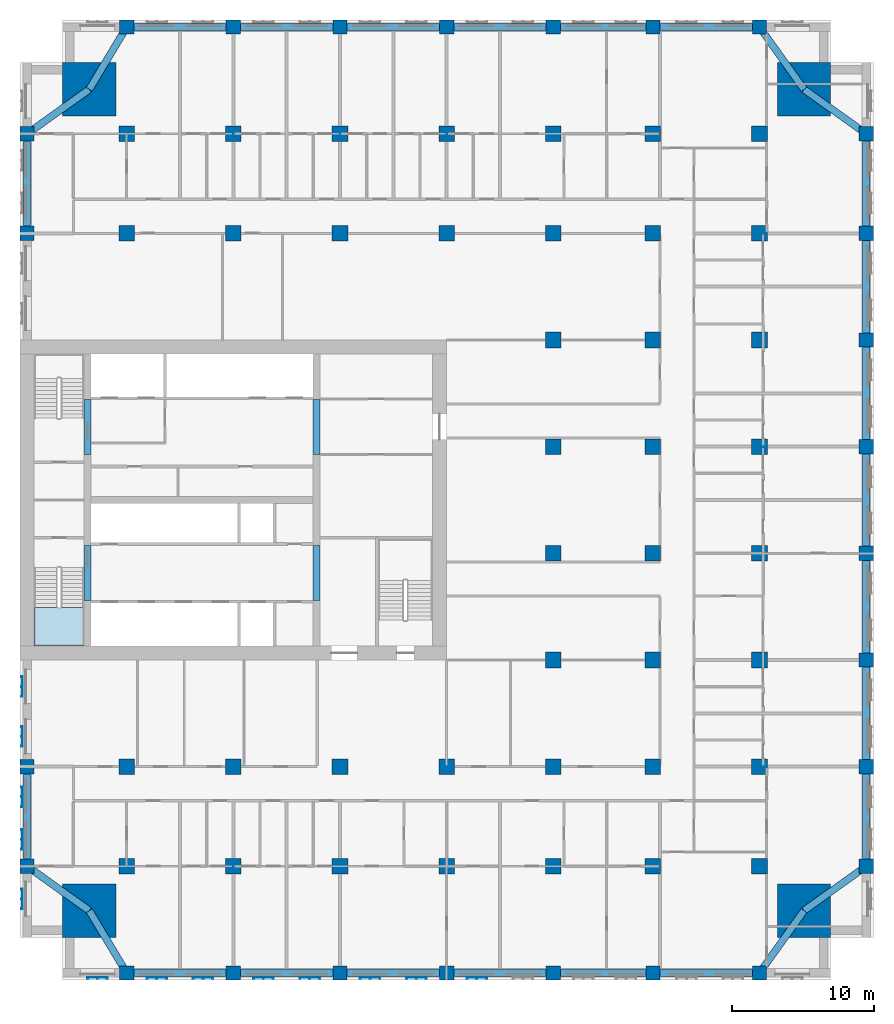
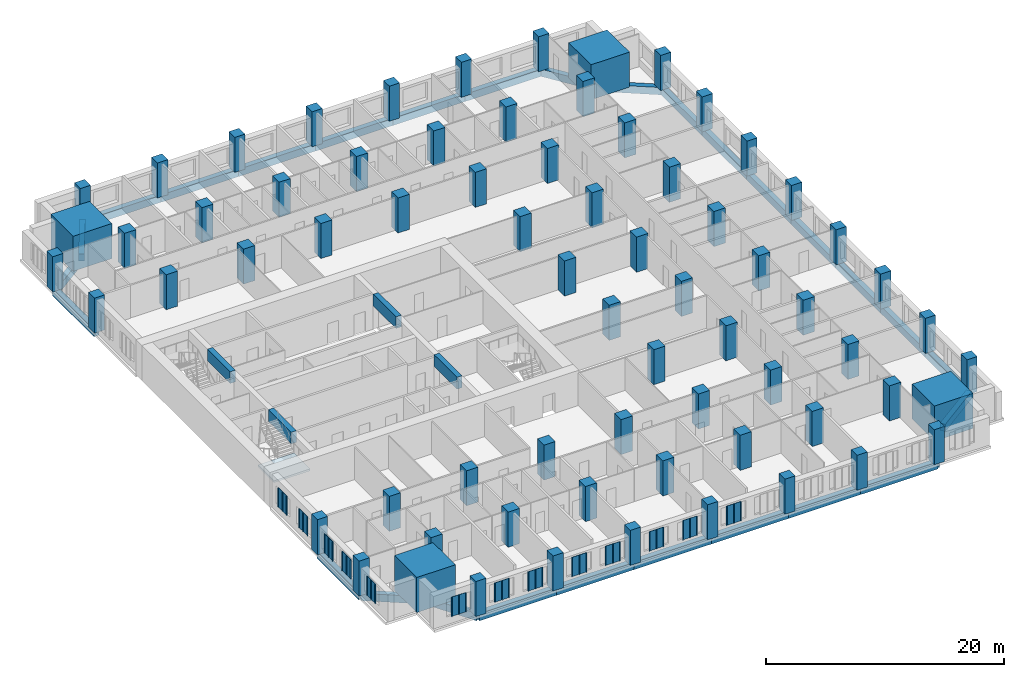
# One storey, part 1 of 15: 70 columns, 33 beams, 13 plates, 1 slab, 1 element without a shape of its own.
"""IFC4 building model written with IfcOpenShell, lengths in metres."""

import ifcopenshell
import ifcopenshell.guid

model = None  # the IFC model being written
_history = None  # IfcOwnerHistory: only IFC2X3 demands one
_inside = {}  # id of a spatial element -> (the spatial element, [elements in it])
_under = {}  # id of a project, library or spatial element -> (it, [spatial elements below it])
_declared = {}  # id of a project -> (the project, [libraries it declares])
_typed = {}  # id of a type object -> (the type object, [elements of that type])
_made_of = {}  # id of a material, layer set ... -> (it, [elements and type objects made of it])


def new_model(schema):
    """Start an empty IFC model of exactly this schema.

    Asked for "IFC4X3", IfcOpenShell would pick the latest addendum, in which some entities
    have other attributes; the version numbers below select the first issue.
    IFC2X3 requires an IfcOwnerHistory on every rooted entity: one is made here for all.
    """
    global model, _history
    if schema == "IFC4X3":
        model = ifcopenshell.file(schema_version=(4, 3, 0, 0))
    else:
        model = ifcopenshell.file(schema=schema)
    _inside.clear()
    _under.clear()
    _declared.clear()
    _typed.clear()
    _made_of.clear()
    _history = None
    if model.schema == "IFC2X3":
        org = make("IfcOrganization", Name="unknown")
        user = make(
            "IfcPersonAndOrganization",
            ThePerson=make("IfcPerson", FamilyName="unknown"),
            TheOrganization=org,
        )
        app = make(
            "IfcApplication",
            ApplicationDeveloper=org,
            Version="unknown",
            ApplicationFullName="unknown",
            ApplicationIdentifier="unknown",
        )
        _history = make(
            "IfcOwnerHistory",
            OwningUser=user,
            OwningApplication=app,
            ChangeAction="ADDED",
            CreationDate=0,
        )
    return model


def make(cls, **values):
    """One entity of the class cls with the attributes given. An attribute that is None is left unset."""
    return model.create_entity(
        cls, **{name: value for name, value in values.items() if value is not None}
    )


def rooted(cls, **values):
    """An entity with a GlobalId (a new one), such as an element, a storey or a relation."""
    return make(cls, GlobalId=ifcopenshell.guid.new(), OwnerHistory=_history, **values)


def si_unit(unit_type, name, prefix=None):
    """IfcSIUnit, for example si_unit("LENGTHUNIT", "METRE", prefix="MILLI")."""
    return make("IfcSIUnit", UnitType=unit_type, Prefix=prefix, Name=name)


def assignment(units):
    """IfcUnitAssignment: the units of a project."""
    return None if units is None else make("IfcUnitAssignment", Units=units)


def point(xyz):
    """IfcCartesianPoint."""
    return None if xyz is None else make("IfcCartesianPoint", Coordinates=xyz)


def direction(xyz):
    """IfcDirection."""
    return None if xyz is None else make("IfcDirection", DirectionRatios=xyz)


def frame(location, z_axis=None, x_axis=None):
    """IfcAxis2Placement3D, a coordinate frame: its origin and axes. An axis left out is left unset."""
    return make(
        "IfcAxis2Placement3D",
        Location=point(location),
        Axis=direction(z_axis),
        RefDirection=direction(x_axis),
    )


def frame_2d(location, x_axis=None):
    """IfcAxis2Placement2D, a coordinate frame in the plane: its origin and x axis."""
    return make(
        "IfcAxis2Placement2D", Location=point(location), RefDirection=direction(x_axis)
    )


def origin():
    """The frame at (0, 0, 0) with its axes left unset."""
    return frame((0.0, 0.0, 0.0))


def origin_2d():
    """The frame at (0, 0) in the plane with its x axis left unset."""
    return frame_2d((0.0, 0.0))


def place(relative_to, where):
    """IfcLocalPlacement: puts the frame where relative to a parent placement (None: the world)."""
    return make(
        "IfcLocalPlacement", PlacementRelTo=relative_to, RelativePlacement=where
    )


def context(
    kind, dimensions, precision=None, world=None, true_north=None, identifier=None
):
    """IfcGeometricRepresentationContext, for example the 3D "Model" context."""
    return make(
        "IfcGeometricRepresentationContext",
        ContextIdentifier=identifier,
        ContextType=kind,
        CoordinateSpaceDimension=dimensions,
        Precision=precision,
        WorldCoordinateSystem=world,
        TrueNorth=true_north,
    )


def subcontext(parent, identifier, kind, view, scale=None):
    """IfcGeometricRepresentationSubContext, for example "Body" below "Model"."""
    return make(
        "IfcGeometricRepresentationSubContext",
        ContextIdentifier=identifier,
        ContextType=kind,
        ParentContext=parent,
        TargetScale=scale,
        TargetView=view,
    )


def project(units=None, contexts=None):
    """IfcProject with its units and contexts."""
    return rooted(
        "IfcProject",
        Name="project",
        RepresentationContexts=contexts,
        UnitsInContext=assignment(units),
    )


def spatial(cls, under=None, at=None, **own):
    """A site, building, storey or space (cls), placed at a placement, below another one or the project."""
    s = rooted(cls, ObjectPlacement=at, **own)
    if under is not None:
        _under.setdefault(under.id(), (under, []))[1].append(s)
    return s


def polyline(points):
    """IfcPolyline through the points."""
    return make("IfcPolyline", Points=[point(p) for p in points])


def profile(cls, at=None, kind="AREA", **sizes):
    """A parametric profile (cls). Its sizes go by their IFC names, for example OverallWidth=200.0."""
    return make(cls, ProfileType=kind, Position=at, **sizes)


def rectangle(**sizes):
    """IfcRectangleProfileDef."""
    return profile("IfcRectangleProfileDef", **sizes)


def outline(outer, holes=None, kind="AREA"):
    """IfcArbitraryClosedProfileDef: a profile drawn as a closed curve; with holes, ...WithVoids."""
    if holes is None:
        return make("IfcArbitraryClosedProfileDef", ProfileType=kind, OuterCurve=outer)
    return make(
        "IfcArbitraryProfileDefWithVoids",
        ProfileType=kind,
        OuterCurve=outer,
        InnerCurves=holes,
    )


def extrude(swept, where, along, depth):
    """IfcExtrudedAreaSolid: the profile swept, set in the frame where, extruded along a direction by depth."""
    return make(
        "IfcExtrudedAreaSolid",
        SweptArea=swept,
        Position=where,
        ExtrudedDirection=direction(along),
        Depth=depth,
    )


def shape(context_of_items, identifier, shape_type, items):
    """IfcShapeRepresentation: the items that make up one representation, for example the "Body"."""
    return make(
        "IfcShapeRepresentation",
        ContextOfItems=context_of_items,
        RepresentationIdentifier=identifier,
        RepresentationType=shape_type,
        Items=items,
    )


def material(Name=None, Category=None):
    """IfcMaterial."""
    return make("IfcMaterial", Name=Name, Category=Category)


def layer(
    of_material, thickness, ventilated=None, Name=None, Category=None, Priority=None
):
    """IfcMaterialLayer: one layer of a wall or slab, of a material (None: an air gap)."""
    return make(
        "IfcMaterialLayer",
        Material=of_material,
        LayerThickness=thickness,
        IsVentilated=ventilated,
        Name=Name,
        Category=Category,
        Priority=Priority,
    )


def layer_set(layers, Name=None):
    """IfcMaterialLayerSet."""
    return make("IfcMaterialLayerSet", MaterialLayers=layers, LayerSetName=Name)


def material_profile(
    of_material, cross_section, Name=None, Category=None, Priority=None
):
    """IfcMaterialProfile: a cross section and its material."""
    return make(
        "IfcMaterialProfile",
        Name=Name,
        Material=of_material,
        Profile=cross_section,
        Priority=Priority,
        Category=Category,
    )


def profile_set(profiles, Name=None, composite=None):
    """IfcMaterialProfileSet."""
    return make(
        "IfcMaterialProfileSet",
        Name=Name,
        MaterialProfiles=profiles,
        CompositeProfile=composite,
    )


def made_of(thing, what):
    """Note that an element or type object is made of a material, layer set ...; save() writes the relation."""
    if what is not None:
        _made_of.setdefault(what.id(), (what, []))[1].append(thing)
    return thing


def type_object(cls, material=None, **own):
    """A type object (cls), such as IfcWallType, which elements share."""
    return made_of(rooted(cls, **own), material)


def element(
    cls,
    number,
    at=None,
    inside=None,
    cuts=None,
    type_object=None,
    material=None,
    context=None,
    identifier="Body",
    shape_type=None,
    held_by="IfcProductDefinitionShape",
    body=None,
    shapes=None,
    **own,
):
    """One element of the class cls, such as IfcWall. Its Tag is "e" and its number.

    at: its placement. inside: the storey or other place that contains it. cuts: it is an
    opening in that element (IfcRelVoidsElement). A single representation is given by context,
    identifier, shape_type and body (its items); several are given by shapes. held_by: the class
    of the entity that holds the representations. save() writes the other relations.
    """
    e = rooted(cls, Tag="e%d" % number, ObjectPlacement=at, **own)
    if body is not None:
        shapes = [shape(context, identifier, shape_type, body)]
    if shapes is not None:
        e.Representation = make(held_by, Representations=shapes)
    if inside is not None:
        _inside.setdefault(inside.id(), (inside, []))[1].append(e)
    if cuts is not None:
        rooted(
            "IfcRelVoidsElement", RelatingBuildingElement=cuts, RelatedOpeningElement=e
        )
    if type_object is not None:
        _typed.setdefault(type_object.id(), (type_object, []))[1].append(e)
    return made_of(e, material)


def aggregate(whole, parts):
    """IfcRelAggregates: a whole, such as a stair, and the parts it consists of."""
    return rooted("IfcRelAggregates", RelatingObject=whole, RelatedObjects=parts)


def save(model, path):
    """Write the relations noted so far, then the file.

    IfcRelAggregates (storeys below a building ...), IfcRelContainedInSpatialStructure (elements
    in a storey), IfcRelDefinesByType, IfcRelAssociatesMaterial and IfcRelDeclares: one each for
    every whole, place, type object, material and project.
    """
    for whole, parts in _under.values():
        aggregate(whole, parts)
    for where, things in _inside.values():
        rooted(
            "IfcRelContainedInSpatialStructure",
            RelatedElements=things,
            RelatingStructure=where,
        )
    for kind, things in _typed.values():
        rooted("IfcRelDefinesByType", RelatedObjects=things, RelatingType=kind)
    for what, things in _made_of.values():
        rooted("IfcRelAssociatesMaterial", RelatedObjects=things, RelatingMaterial=what)
    for by, libraries in _declared.values():
        rooted("IfcRelDeclares", RelatingContext=by, RelatedDefinitions=libraries)
    model.write(path)


model = new_model("IFC4")

# Units and contexts
model_context = context("Model", 3, precision=1e-05, world=origin(), true_north=direction((0.0, 1.0)))
body_context = subcontext(model_context, "Body", "Model", "MODEL_VIEW")
ifc_project = project(units=[si_unit("LENGTHUNIT", "METRE"), si_unit("AREAUNIT", "SQUARE_METRE"), si_unit("VOLUMEUNIT", "CUBIC_METRE"), si_unit("PLANEANGLEUNIT", "RADIAN"), si_unit("MASSUNIT", "GRAM", prefix="KILO")], contexts=[model_context])

# Site, building, storey
site_placement = place(None, origin())
site = spatial("IfcSite", under=ifc_project, at=site_placement, CompositionType="ELEMENT")
building_placement = place(site_placement, origin())
building = spatial("IfcBuilding", under=site, at=building_placement, Name="Tamorin Gate", CompositionType="ELEMENT")
storey_placement = place(building_placement, frame((0.0, 0.0, 82.699951171875)))
storey = spatial("IfcBuildingStorey", under=building, at=storey_placement, Name="L19", CompositionType="ELEMENT", Elevation=82.699951171875)

# Columns
ifc_material_1 = material(Name="Concrete C80/95", Category="concrete")
ifc_material_profile_1 = material_profile(ifc_material_1, rectangle(XDim=1.0, YDim=1.0, at=origin_2d()), Name="RC 1000x1000")
ifc_profile_set_1 = profile_set([ifc_material_profile_1], Name="Concrete C80/95")
column_type_1 = type_object("IfcColumnType", Name="RC column 1000x1000 C80/95", PredefinedType="COLUMN", material=ifc_profile_set_1)
for number, where, z_axis, x_axis, name in (
    (1, (30.5, 45.5, 0.0), (0.0, 0.0, 1.0), (1.0, 0.0, 0.0), "Ring column L19"),
    (2, (30.5, 52.5, 0.0), (0.0, 0.0, 1.0), (1.0, 0.0, 0.0), "Ring column L19"),
    (3, (30.5, 90.0, 0.0), (0.0, 0.0, 1.0), (1.0, 0.0, 0.0), "Ring column L19"),
    (4, (30.5, 97.0, 0.0), (0.0, 0.0, 1.0), (1.0, 0.0, 0.0), "Ring column L19"),
    (5, (37.5, 38.0, 0.0), (0.0, 0.0, 1.0), (1.0, 0.0, 0.0), "Ring column L19"),
    (6, (37.5, 104.5, 0.0), (0.0, 0.0, 1.0), (1.0, 0.0, 0.0), "Ring column L19"),
    (7, (45.0, 38.0, 0.0), (0.0, 0.0, 1.0), (1.0, 0.0, 0.0), "Ring column L19"),
    (8, (45.0, 104.5, 0.0), (0.0, 0.0, 1.0), (1.0, 0.0, 0.0), "Ring column L19"),
    (9, (52.5, 38.0, 0.0), (0.0, 0.0, 1.0), (1.0, 0.0, 0.0), "Ring column L19"),
    (10, (52.5, 104.5, 0.0), (0.0, 0.0, 1.0), (1.0, 0.0, 0.0), "Ring column L19"),
    (11, (60.0, 38.0, 0.0), (0.0, 0.0, 1.0), (1.0, 0.0, 0.0), "Ring column L19"),
    (12, (60.0, 104.5, 0.0), (0.0, 0.0, 1.0), (1.0, 0.0, 0.0), "Ring column L19"),
    (13, (67.5, 38.0, 0.0), (0.0, 0.0, 1.0), (1.0, 0.0, 0.0), "Ring column L19"),
    (14, (67.5, 104.5, 0.0), (0.0, 0.0, 1.0), (1.0, 0.0, 0.0), "Ring column L19"),
    (15, (74.5, 38.0, 0.0), (0.0, 0.0, 1.0), (1.0, 0.0, 0.0), "Ring column L19"),
    (16, (74.5, 104.5, 0.0), (0.0, 0.0, 1.0), (1.0, 0.0, 0.0), "Ring column L19"),
    (17, (82.0, 38.0, 0.0), (0.0, 0.0, 1.0), (1.0, 0.0, 0.0), "Ring column L19"),
    (18, (82.0, 104.5, 0.0), (0.0, 0.0, 1.0), (1.0, 0.0, 0.0), "Ring column L19"),
    (19, (89.5, 45.5, 0.0), (0.0, 0.0, 1.0), (1.0, 0.0, 0.0), "Ring column L19"),
    (20, (89.5, 52.5, 0.0), (0.0, 0.0, 1.0), (1.0, 0.0, 0.0), "Ring column L19"),
    (21, (89.5, 60.0, 0.0), (0.0, 0.0, 1.0), (1.0, 0.0, 0.0), "Ring column L19"),
    (22, (89.5, 67.5, 0.0), (0.0, 0.0, 1.0), (1.0, 0.0, 0.0), "Ring column L19"),
    (23, (89.5, 75.0, 0.0), (0.0, 0.0, 1.0), (1.0, 0.0, 0.0), "Ring column L19"),
    (24, (89.5, 82.5, 0.0), (0.0, 0.0, 1.0), (1.0, 0.0, 0.0), "Ring column L19"),
    (25, (89.5, 90.0, 0.0), (0.0, 0.0, 1.0), (1.0, 0.0, 0.0), "Ring column L19"),
    (26, (89.5, 97.0, 0.0), (0.0, 0.0, 1.0), (1.0, 0.0, 0.0), "Ring column L19"),
):
    element("IfcColumn", number, at=place(storey_placement, frame(where, z_axis=z_axis, x_axis=x_axis)), inside=storey, type_object=column_type_1, Name=name, PredefinedType="COLUMN", context=body_context, shape_type="SweptSolid", body=[
        extrude(rectangle(XDim=1.0, YDim=1.0, at=origin_2d()), origin(), (0.0, 0.0, 1.0), 3.60009765625),
    ])
ifc_material_profile_2 = material_profile(ifc_material_1, rectangle(XDim=1.10009765625, YDim=1.10009765625, at=origin_2d()), Name="RC 1100x1100")
ifc_profile_set_2 = profile_set([ifc_material_profile_2], Name="Concrete C80/95")
column_type_2 = type_object("IfcColumnType", Name="RC column 1100x1100 C80/95", PredefinedType="COLUMN", material=ifc_profile_set_2)
for number, where, z_axis, x_axis, name in (
    (27, (37.5, 45.5, 0.0), (0.0, 0.0, 1.0), (1.0, 0.0, 0.0), "Interior column L19"),
    (28, (37.5, 52.5, 0.0), (0.0, 0.0, 1.0), (1.0, 0.0, 0.0), "Interior column L19"),
    (29, (37.5, 90.0, 0.0), (0.0, 0.0, 1.0), (1.0, 0.0, 0.0), "Interior column L19"),
    (30, (37.5, 97.0, 0.0), (0.0, 0.0, 1.0), (1.0, 0.0, 0.0), "Interior column L19"),
    (31, (45.0, 45.5, 0.0), (0.0, 0.0, 1.0), (1.0, 0.0, 0.0), "Interior column L19"),
    (32, (45.0, 52.5, 0.0), (0.0, 0.0, 1.0), (1.0, 0.0, 0.0), "Interior column L19"),
    (33, (45.0, 90.0, 0.0), (0.0, 0.0, 1.0), (1.0, 0.0, 0.0), "Interior column L19"),
    (34, (45.0, 97.0, 0.0), (0.0, 0.0, 1.0), (1.0, 0.0, 0.0), "Interior column L19"),
    (35, (52.5, 45.5, 0.0), (0.0, 0.0, 1.0), (1.0, 0.0, 0.0), "Interior column L19"),
    (36, (52.5, 52.5, 0.0), (0.0, 0.0, 1.0), (1.0, 0.0, 0.0), "Interior column L19"),
    (37, (52.5, 90.0, 0.0), (0.0, 0.0, 1.0), (1.0, 0.0, 0.0), "Interior column L19"),
    (38, (52.5, 97.0, 0.0), (0.0, 0.0, 1.0), (1.0, 0.0, 0.0), "Interior column L19"),
    (39, (60.0, 45.5, 0.0), (0.0, 0.0, 1.0), (1.0, 0.0, 0.0), "Interior column L19"),
    (40, (60.0, 52.5, 0.0), (0.0, 0.0, 1.0), (1.0, 0.0, 0.0), "Interior column L19"),
    (41, (60.0, 90.0, 0.0), (0.0, 0.0, 1.0), (1.0, 0.0, 0.0), "Interior column L19"),
    (42, (60.0, 97.0, 0.0), (0.0, 0.0, 1.0), (1.0, 0.0, 0.0), "Interior column L19"),
    (43, (67.5, 45.5, 0.0), (0.0, 0.0, 1.0), (1.0, 0.0, 0.0), "Interior column L19"),
    (44, (67.5, 52.5, 0.0), (0.0, 0.0, 1.0), (1.0, 0.0, 0.0), "Interior column L19"),
    (45, (67.5, 60.0, 0.0), (0.0, 0.0, 1.0), (1.0, 0.0, 0.0), "Interior column L19"),
    (46, (67.5, 67.5, 0.0), (0.0, 0.0, 1.0), (1.0, 0.0, 0.0), "Interior column L19"),
    (47, (67.5, 75.0, 0.0), (0.0, 0.0, 1.0), (1.0, 0.0, 0.0), "Interior column L19"),
    (48, (67.5, 82.5, 0.0), (0.0, 0.0, 1.0), (1.0, 0.0, 0.0), "Interior column L19"),
    (49, (67.5, 90.0, 0.0), (0.0, 0.0, 1.0), (1.0, 0.0, 0.0), "Interior column L19"),
    (50, (67.5, 97.0, 0.0), (0.0, 0.0, 1.0), (1.0, 0.0, 0.0), "Interior column L19"),
    (51, (74.5, 45.5, 0.0), (0.0, 0.0, 1.0), (1.0, 0.0, 0.0), "Interior column L19"),
    (52, (74.5, 52.5, 0.0), (0.0, 0.0, 1.0), (1.0, 0.0, 0.0), "Interior column L19"),
    (53, (74.5, 60.0, 0.0), (0.0, 0.0, 1.0), (1.0, 0.0, 0.0), "Interior column L19"),
    (54, (74.5, 67.5, 0.0), (0.0, 0.0, 1.0), (1.0, 0.0, 0.0), "Interior column L19"),
    (55, (74.5, 75.0, 0.0), (0.0, 0.0, 1.0), (1.0, 0.0, 0.0), "Interior column L19"),
    (56, (74.5, 82.5, 0.0), (0.0, 0.0, 1.0), (1.0, 0.0, 0.0), "Interior column L19"),
    (57, (74.5, 90.0, 0.0), (0.0, 0.0, 1.0), (1.0, 0.0, 0.0), "Interior column L19"),
    (58, (74.5, 97.0, 0.0), (0.0, 0.0, 1.0), (1.0, 0.0, 0.0), "Interior column L19"),
    (59, (82.0, 45.5, 0.0), (0.0, 0.0, 1.0), (1.0, 0.0, 0.0), "Interior column L19"),
    (60, (82.0, 52.5, 0.0), (0.0, 0.0, 1.0), (1.0, 0.0, 0.0), "Interior column L19"),
    (61, (82.0, 60.0, 0.0), (0.0, 0.0, 1.0), (1.0, 0.0, 0.0), "Interior column L19"),
    (62, (82.0, 67.5, 0.0), (0.0, 0.0, 1.0), (1.0, 0.0, 0.0), "Interior column L19"),
    (63, (82.0, 75.0, 0.0), (0.0, 0.0, 1.0), (1.0, 0.0, 0.0), "Interior column L19"),
    (64, (82.0, 82.5, 0.0), (0.0, 0.0, 1.0), (1.0, 0.0, 0.0), "Interior column L19"),
    (65, (82.0, 90.0, 0.0), (0.0, 0.0, 1.0), (1.0, 0.0, 0.0), "Interior column L19"),
    (66, (82.0, 97.0, 0.0), (0.0, 0.0, 1.0), (1.0, 0.0, 0.0), "Interior column L19"),
):
    element("IfcColumn", number, at=place(storey_placement, frame(where, z_axis=z_axis, x_axis=x_axis)), inside=storey, type_object=column_type_2, Name=name, PredefinedType="COLUMN", context=body_context, shape_type="SweptSolid", body=[
        extrude(rectangle(XDim=1.10009765625, YDim=1.10009765625, at=origin_2d()), origin(), (0.0, 0.0, 1.0), 3.60009765625),
    ])
ifc_material_profile_3 = material_profile(ifc_material_1, rectangle(XDim=3.75, YDim=3.75, at=origin_2d()), Name="RC 3750x3750")
ifc_profile_set_3 = profile_set([ifc_material_profile_3], Name="Concrete C80/95")
column_type_3 = type_object("IfcColumnType", Name="RC column 3750x3750 C80/95", PredefinedType="COLUMN", material=ifc_profile_set_3)
for number, where, z_axis, x_axis, name in (
    (67, (34.875, 42.375, 0.0), (0.0, 0.0, 1.0), (1.0, 0.0, 0.0), "Mega column SW L19"),
    (68, (85.125, 42.375, 0.0), (0.0, 0.0, 1.0), (1.0, 0.0, 0.0), "Mega column SE L19"),
    (69, (34.875, 100.125, 0.0), (0.0, 0.0, 1.0), (1.0, 0.0, 0.0), "Mega column NW L19"),
    (70, (85.125, 100.125, 0.0), (0.0, 0.0, 1.0), (1.0, 0.0, 0.0), "Mega column NE L19"),
):
    element("IfcColumn", number, at=place(storey_placement, frame(where, z_axis=z_axis, x_axis=x_axis)), inside=storey, type_object=column_type_3, Name=name, PredefinedType="COLUMN", context=body_context, shape_type="SweptSolid", body=[
        extrude(rectangle(XDim=3.75, YDim=3.75, at=origin_2d()), origin(), (0.0, 0.0, 1.0), 3.60009765625),
    ])

# Beams
ifc_material_profile_4 = material_profile(ifc_material_1, rectangle(XDim=0.5, YDim=1.199951171875, at=origin_2d()), Name="RC 500x1200")
ifc_profile_set_4 = profile_set([ifc_material_profile_4], Name="Concrete C80/95")
beam_type_1 = type_object("IfcBeamType", Name="RC coupling beam 500x1200 C80/95", PredefinedType="BEAM", material=ifc_profile_set_4)
for number, where, z_axis, x_axis, name in (
    (71, (34.75, 64.199951171875, 3.0), (0.0, 1.0, 0.0), (-1.0, 0.0, 0.0), "Coupling beam L19"),
    (72, (34.75, 74.449951171875, 3.0), (0.0, 1.0, 0.0), (-1.0, 0.0, 0.0), "Coupling beam L19"),
    (73, (50.85009765625, 64.199951171875, 3.0), (0.0, 1.0, 0.0), (-1.0, 0.0, 0.0), "Coupling beam L19"),
    (74, (50.85009765625, 74.449951171875, 3.0), (0.0, 1.0, 0.0), (-1.0, 0.0, 0.0), "Coupling beam L19"),
):
    element("IfcBeam", number, at=place(storey_placement, frame(where, z_axis=z_axis, x_axis=x_axis)), inside=storey, type_object=beam_type_1, Name=name, PredefinedType="BEAM", context=body_context, shape_type="SweptSolid", body=[
        extrude(rectangle(XDim=0.5, YDim=1.199951171875, at=origin_2d()), origin(), (0.0, 0.0, 1.0), 3.85009765625),
    ])
ifc_material_2 = material(Name="Concrete C50/60", Category="concrete")
ifc_material_profile_5 = material_profile(ifc_material_2, rectangle(XDim=0.5, YDim=0.75, at=origin_2d()), Name="RC 500x750")
ifc_profile_set_5 = profile_set([ifc_material_profile_5], Name="Concrete C50/60")
beam_type_2 = type_object("IfcBeamType", Name="RC spandrel 500x750 C50/60", PredefinedType="BEAM", material=ifc_profile_set_5)
for number, where, z_axis, x_axis, name in (
    (75, (37.5, 38.0, -0.375), (1.0, 0.0, 0.0), (0.0, 1.0, 0.0), "Spandrel beam L19"),
    (76, (45.0, 38.0, -0.375), (1.0, 0.0, 0.0), (0.0, 1.0, 0.0), "Spandrel beam L19"),
    (77, (52.5, 38.0, -0.375), (1.0, 0.0, 0.0), (0.0, 1.0, 0.0), "Spandrel beam L19"),
    (78, (60.0, 38.0, -0.375), (1.0, 0.0, 0.0), (0.0, 1.0, 0.0), "Spandrel beam L19"),
):
    element("IfcBeam", number, at=place(storey_placement, frame(where, z_axis=z_axis, x_axis=x_axis)), inside=storey, type_object=beam_type_2, Name=name, PredefinedType="BEAM", context=body_context, shape_type="SweptSolid", body=[
        extrude(rectangle(XDim=0.5, YDim=0.75, at=origin_2d()), origin(), (0.0, 0.0, 1.0), 7.5),
    ])
beam_1_placement = place(storey_placement, frame((67.5, 38.0, -0.375), z_axis=(1.0, 0.0, 0.0), x_axis=(0.0, 1.0, 0.0)))
element("IfcBeam", 79, at=beam_1_placement, inside=storey, type_object=beam_type_2, Name="Spandrel beam L19", PredefinedType="BEAM", context=body_context, shape_type="SweptSolid", body=[
    extrude(rectangle(XDim=0.5, YDim=0.75, at=origin_2d()), origin(), (0.0, 0.0, 1.0), 7.0),
])
beam_2_placement = place(storey_placement, frame((74.5, 38.0, -0.375), z_axis=(1.0, 0.0, 0.0), x_axis=(0.0, 1.0, 0.0)))
element("IfcBeam", 80, at=beam_2_placement, inside=storey, type_object=beam_type_2, Name="Spandrel beam L19", PredefinedType="BEAM", context=body_context, shape_type="SweptSolid", body=[
    extrude(rectangle(XDim=0.5, YDim=0.75, at=origin_2d()), origin(), (0.0, 0.0, 1.0), 7.5),
])
beam_3_placement = place(storey_placement, frame((89.5, 45.5, -0.375), z_axis=(0.0, 1.0, 0.0), x_axis=(-1.0, 0.0, 0.0)))
element("IfcBeam", 81, at=beam_3_placement, inside=storey, type_object=beam_type_2, Name="Spandrel beam L19", PredefinedType="BEAM", context=body_context, shape_type="SweptSolid", body=[
    extrude(rectangle(XDim=0.5, YDim=0.75, at=origin_2d()), origin(), (0.0, 0.0, 1.0), 7.0),
])
for number, where, z_axis, x_axis, name in (
    (82, (89.5, 52.5, -0.375), (0.0, 1.0, 0.0), (-1.0, 0.0, 0.0), "Spandrel beam L19"),
    (83, (89.5, 60.0, -0.375), (0.0, 1.0, 0.0), (-1.0, 0.0, 0.0), "Spandrel beam L19"),
    (84, (89.5, 67.5, -0.375), (0.0, 1.0, 0.0), (-1.0, 0.0, 0.0), "Spandrel beam L19"),
    (85, (89.5, 75.0, -0.375), (0.0, 1.0, 0.0), (-1.0, 0.0, 0.0), "Spandrel beam L19"),
    (86, (89.5, 82.5, -0.375), (0.0, 1.0, 0.0), (-1.0, 0.0, 0.0), "Spandrel beam L19"),
):
    element("IfcBeam", number, at=place(storey_placement, frame(where, z_axis=z_axis, x_axis=x_axis)), inside=storey, type_object=beam_type_2, Name=name, PredefinedType="BEAM", context=body_context, shape_type="SweptSolid", body=[
        extrude(rectangle(XDim=0.5, YDim=0.75, at=origin_2d()), origin(), (0.0, 0.0, 1.0), 7.5),
    ])
beam_4_placement = place(storey_placement, frame((89.5, 90.0, -0.375), z_axis=(0.0, 1.0, 0.0), x_axis=(-1.0, 0.0, 0.0)))
element("IfcBeam", 87, at=beam_4_placement, inside=storey, type_object=beam_type_2, Name="Spandrel beam L19", PredefinedType="BEAM", context=body_context, shape_type="SweptSolid", body=[
    extrude(rectangle(XDim=0.5, YDim=0.75, at=origin_2d()), origin(), (0.0, 0.0, 1.0), 7.0),
])
beam_5_placement = place(storey_placement, frame((82.0, 104.5, -0.375), z_axis=(-1.0, 0.0, 0.0), x_axis=(0.0, -1.0, 0.0)))
element("IfcBeam", 88, at=beam_5_placement, inside=storey, type_object=beam_type_2, Name="Spandrel beam L19", PredefinedType="BEAM", context=body_context, shape_type="SweptSolid", body=[
    extrude(rectangle(XDim=0.5, YDim=0.75, at=origin_2d()), origin(), (0.0, 0.0, 1.0), 7.5),
])
beam_6_placement = place(storey_placement, frame((74.5, 104.5, -0.375), z_axis=(-1.0, 0.0, 0.0), x_axis=(0.0, -1.0, 0.0)))
element("IfcBeam", 89, at=beam_6_placement, inside=storey, type_object=beam_type_2, Name="Spandrel beam L19", PredefinedType="BEAM", context=body_context, shape_type="SweptSolid", body=[
    extrude(rectangle(XDim=0.5, YDim=0.75, at=origin_2d()), origin(), (0.0, 0.0, 1.0), 7.0),
])
for number, where, z_axis, x_axis, name in (
    (90, (67.5, 104.5, -0.375), (-1.0, 0.0, 0.0), (0.0, -1.0, 0.0), "Spandrel beam L19"),
    (91, (60.0, 104.5, -0.375), (-1.0, 0.0, 0.0), (0.0, -1.0, 0.0), "Spandrel beam L19"),
    (92, (52.5, 104.5, -0.375), (-1.0, 0.0, 0.0), (0.0, -1.0, 0.0), "Spandrel beam L19"),
    (93, (45.0, 104.5, -0.375), (-1.0, 0.0, 0.0), (0.0, -1.0, 0.0), "Spandrel beam L19"),
):
    element("IfcBeam", number, at=place(storey_placement, frame(where, z_axis=z_axis, x_axis=x_axis)), inside=storey, type_object=beam_type_2, Name=name, PredefinedType="BEAM", context=body_context, shape_type="SweptSolid", body=[
        extrude(rectangle(XDim=0.5, YDim=0.75, at=origin_2d()), origin(), (0.0, 0.0, 1.0), 7.5),
    ])
for number, where, z_axis, x_axis, name in (
    (94, (30.5, 97.0, -0.375), (0.0, -1.0, 0.0), (1.0, 0.0, 0.0), "Spandrel beam L19"),
    (95, (30.5, 52.5, -0.375), (0.0, -1.0, 0.0), (1.0, 0.0, 0.0), "Spandrel beam L19"),
):
    element("IfcBeam", number, at=place(storey_placement, frame(where, z_axis=z_axis, x_axis=x_axis)), inside=storey, type_object=beam_type_2, Name=name, PredefinedType="BEAM", context=body_context, shape_type="SweptSolid", body=[
        extrude(rectangle(XDim=0.5, YDim=0.75, at=origin_2d()), origin(), (0.0, 0.0, 1.0), 7.0),
    ])
beam_7_placement = place(storey_placement, frame((34.875, 42.375, -0.375), z_axis=(0.514495755428, -0.857492925713, 0.0), x_axis=(0.857492925713, 0.514495755428, 0.0)))
element("IfcBeam", 96, at=beam_7_placement, inside=storey, type_object=beam_type_2, Name="Corner tie beam L19", PredefinedType="BEAM", context=body_context, shape_type="SweptSolid", body=[
    extrude(rectangle(XDim=0.5, YDim=0.75, at=origin_2d()), origin(), (0.0, 0.0, 1.0), 5.10205078125),
])
for number, where, z_axis, x_axis, name in (
    (97, (34.875, 42.375, -0.375), (-0.813733471207, 0.581238193719, 0.0), (-0.581238193719, -0.813733471207, 0.0), "Corner tie beam L19"),
    (98, (85.125, 42.375, -0.375), (-0.581238193719, -0.813733471207, 0.0), (0.813733471207, -0.581238193719, 0.0), "Corner tie beam L19"),
    (99, (85.125, 42.375, -0.375), (0.813733471207, 0.581238193719, 0.0), (-0.581238193719, 0.813733471207, 0.0), "Corner tie beam L19"),
):
    element("IfcBeam", number, at=place(storey_placement, frame(where, z_axis=z_axis, x_axis=x_axis)), inside=storey, type_object=beam_type_2, Name=name, PredefinedType="BEAM", context=body_context, shape_type="SweptSolid", body=[
        extrude(rectangle(XDim=0.5, YDim=0.75, at=origin_2d()), origin(), (0.0, 0.0, 1.0), 5.37646484375),
    ])
beam_8_placement = place(storey_placement, frame((34.875, 100.125, -0.375), z_axis=(0.514495755428, 0.857492925713, 0.0), x_axis=(-0.857492925713, 0.514495755428, 0.0)))
element("IfcBeam", 100, at=beam_8_placement, inside=storey, type_object=beam_type_2, Name="Corner tie beam L19", PredefinedType="BEAM", context=body_context, shape_type="SweptSolid", body=[
    extrude(rectangle(XDim=0.5, YDim=0.75, at=origin_2d()), origin(), (0.0, 0.0, 1.0), 5.10205078125),
])
for number, where, z_axis, x_axis, name in (
    (101, (34.875, 100.125, -0.375), (-0.813733471207, -0.581238193719, 0.0), (0.581238193719, -0.813733471207, 0.0), "Corner tie beam L19"),
    (102, (85.125, 100.125, -0.375), (-0.581238193719, 0.813733471207, 0.0), (-0.813733471207, -0.581238193719, 0.0), "Corner tie beam L19"),
    (103, (85.125, 100.125, -0.375), (0.813733471207, -0.581238193719, 0.0), (0.581238193719, 0.813733471207, 0.0), "Corner tie beam L19"),
):
    element("IfcBeam", number, at=place(storey_placement, frame(where, z_axis=z_axis, x_axis=x_axis)), inside=storey, type_object=beam_type_2, Name=name, PredefinedType="BEAM", context=body_context, shape_type="SweptSolid", body=[
        extrude(rectangle(XDim=0.5, YDim=0.75, at=origin_2d()), origin(), (0.0, 0.0, 1.0), 5.37646484375),
    ])

# Stair, slab
ifc_material_3 = material(Name="Concrete C40/50", Category="concrete")
stair_type = type_object("IfcStairType", Name="Exit stair", PredefinedType="HALF_TURN_STAIR", material=ifc_material_3)
stair_placement = place(storey_placement, origin())
stair = element("IfcStair", 104, at=stair_placement, inside=storey, type_object=stair_type, Name="L19 stair ST1", PredefinedType="HALF_TURN_STAIR")
ifc_layer_1 = layer(ifc_material_3, 0.199951171875)
ifc_layer_set_1 = layer_set([ifc_layer_1], Name="Exit stair landing 200")
slab_type = type_object("IfcSlabType", Name="Exit stair landing 200", PredefinedType="LANDING", material=ifc_layer_set_1)
slab_placement = place(storey_placement, frame((0.0, 0.0, 1.60009765625)))
slab = element("IfcSlab", 105, at=slab_placement, type_object=slab_type, Name="ST1 landing 1", PredefinedType="LANDING", context=body_context, shape_type="SweptSolid", body=[
    extrude(outline(polyline([(31.0, 63.699951171875), (31.0, 61.0), (34.5, 61.0), (34.5, 63.699951171875), (31.0, 63.699951171875)])), origin(), (0.0, 0.0, 1.0), 0.199951171875),
])
aggregate(stair, [slab])

# Plates
ifc_material_4 = material(Name="Perforated pale aluminium sheet", Category="aluminium")
ifc_layer_2 = layer(ifc_material_4, 0.0400390625)
ifc_layer_set_2 = layer_set([ifc_layer_2], Name="Pale metal solar screen 1440")
plate_type = type_object("IfcPlateType", Name="Pale metal solar screen 1440", PredefinedType="SHEET", material=ifc_layer_set_2)
plate_1_placement = place(storey_placement, frame((0.0, 0.0, 0.7099609375)))
element("IfcPlate", 106, at=plate_1_placement, inside=storey, type_object=plate_type, Name="Perforated solar screen", PredefinedType="SHEET", context=body_context, shape_type="SweptSolid", body=[
    extrude(outline(polyline([(34.72998046875, 37.659912109375), (34.72998046875, 37.699951171875), (34.7900390625, 37.699951171875), (35.419921875, 37.699951171875), (35.47998046875, 37.699951171875), (36.110107421875, 37.699951171875), (36.169921875, 37.699951171875), (36.169921875, 37.659912109375), (36.169921875, 37.60009765625), (36.110107421875, 37.60009765625), (36.110107421875, 37.659912109375), (35.47998046875, 37.659912109375), (35.47998046875, 37.60009765625), (35.419921875, 37.60009765625), (35.419921875, 37.659912109375), (34.7900390625, 37.659912109375), (34.7900390625, 37.60009765625), (34.72998046875, 37.60009765625), (34.72998046875, 37.659912109375)])), origin(), (0.0, 0.0, 1.0), 1.97998046875),
])
plate_2_placement = place(storey_placement, frame((0.0, 0.0, 0.7099609375)))
element("IfcPlate", 107, at=plate_2_placement, inside=storey, type_object=plate_type, Name="Perforated solar screen", PredefinedType="SHEET", context=body_context, shape_type="SweptSolid", body=[
    extrude(outline(polyline([(38.905029296875, 37.659912109375), (38.905029296875, 37.699951171875), (38.965087890625, 37.699951171875), (39.594970703125, 37.699951171875), (39.655029296875, 37.699951171875), (40.284912109375, 37.699951171875), (40.344970703125, 37.699951171875), (40.344970703125, 37.699951171875), (40.344970703125, 37.659912109375), (40.344970703125, 37.659912109375), (40.344970703125, 37.60009765625), (40.284912109375, 37.60009765625), (40.284912109375, 37.659912109375), (39.655029296875, 37.659912109375), (39.655029296875, 37.60009765625), (39.594970703125, 37.60009765625), (39.594970703125, 37.659912109375), (38.965087890625, 37.659912109375), (38.965087890625, 37.60009765625), (38.905029296875, 37.60009765625), (38.905029296875, 37.659912109375)])), origin(), (0.0, 0.0, 1.0), 1.97998046875),
])
plate_3_placement = place(storey_placement, frame((0.0, 0.0, 0.7099609375)))
element("IfcPlate", 108, at=plate_3_placement, inside=storey, type_object=plate_type, Name="Perforated solar screen", PredefinedType="SHEET", context=body_context, shape_type="SweptSolid", body=[
    extrude(outline(polyline([(42.155029296875, 37.659912109375), (42.155029296875, 37.699951171875), (42.215087890625, 37.699951171875), (42.844970703125, 37.699951171875), (42.905029296875, 37.699951171875), (43.534912109375, 37.699951171875), (43.594970703125, 37.699951171875), (43.594970703125, 37.659912109375), (43.594970703125, 37.60009765625), (43.534912109375, 37.60009765625), (43.534912109375, 37.659912109375), (42.905029296875, 37.659912109375), (42.905029296875, 37.60009765625), (42.844970703125, 37.60009765625), (42.844970703125, 37.659912109375), (42.215087890625, 37.659912109375), (42.215087890625, 37.60009765625), (42.155029296875, 37.60009765625), (42.155029296875, 37.659912109375)])), origin(), (0.0, 0.0, 1.0), 1.97998046875),
])
plate_4_placement = place(storey_placement, frame((0.0, 0.0, 0.7099609375)))
element("IfcPlate", 109, at=plate_4_placement, inside=storey, type_object=plate_type, Name="Perforated solar screen", PredefinedType="SHEET", context=body_context, shape_type="SweptSolid", body=[
    extrude(outline(polyline([(46.405029296875, 37.659912109375), (46.405029296875, 37.699951171875), (46.465087890625, 37.699951171875), (47.094970703125, 37.699951171875), (47.155029296875, 37.699951171875), (47.784912109375, 37.699951171875), (47.844970703125, 37.699951171875), (47.844970703125, 37.659912109375), (47.844970703125, 37.60009765625), (47.784912109375, 37.60009765625), (47.784912109375, 37.659912109375), (47.155029296875, 37.659912109375), (47.155029296875, 37.60009765625), (47.094970703125, 37.60009765625), (47.094970703125, 37.659912109375), (46.465087890625, 37.659912109375), (46.465087890625, 37.60009765625), (46.405029296875, 37.60009765625), (46.405029296875, 37.659912109375)])), origin(), (0.0, 0.0, 1.0), 1.97998046875),
])
plate_5_placement = place(storey_placement, frame((0.0, 0.0, 0.7099609375)))
element("IfcPlate", 110, at=plate_5_placement, inside=storey, type_object=plate_type, Name="Perforated solar screen", PredefinedType="SHEET", context=body_context, shape_type="SweptSolid", body=[
    extrude(outline(polyline([(49.655029296875, 37.659912109375), (49.655029296875, 37.699951171875), (49.715087890625, 37.699951171875), (50.344970703125, 37.699951171875), (50.405029296875, 37.699951171875), (51.034912109375, 37.699951171875), (51.094970703125, 37.699951171875), (51.094970703125, 37.659912109375), (51.094970703125, 37.60009765625), (51.034912109375, 37.60009765625), (51.034912109375, 37.659912109375), (50.405029296875, 37.659912109375), (50.405029296875, 37.60009765625), (50.344970703125, 37.60009765625), (50.344970703125, 37.659912109375), (49.715087890625, 37.659912109375), (49.715087890625, 37.60009765625), (49.655029296875, 37.60009765625), (49.655029296875, 37.659912109375)])), origin(), (0.0, 0.0, 1.0), 1.97998046875),
])
plate_6_placement = place(storey_placement, frame((0.0, 0.0, 0.7099609375)))
element("IfcPlate", 111, at=plate_6_placement, inside=storey, type_object=plate_type, Name="Perforated solar screen", PredefinedType="SHEET", context=body_context, shape_type="SweptSolid", body=[
    extrude(outline(polyline([(53.905029296875, 37.659912109375), (53.905029296875, 37.699951171875), (53.965087890625, 37.699951171875), (54.594970703125, 37.699951171875), (54.655029296875, 37.699951171875), (55.284912109375, 37.699951171875), (55.344970703125, 37.699951171875), (55.344970703125, 37.659912109375), (55.344970703125, 37.60009765625), (55.284912109375, 37.60009765625), (55.284912109375, 37.659912109375), (54.655029296875, 37.659912109375), (54.655029296875, 37.60009765625), (54.594970703125, 37.60009765625), (54.594970703125, 37.659912109375), (53.965087890625, 37.659912109375), (53.965087890625, 37.60009765625), (53.905029296875, 37.60009765625), (53.905029296875, 37.659912109375)])), origin(), (0.0, 0.0, 1.0), 1.97998046875),
])
plate_7_placement = place(storey_placement, frame((0.0, 0.0, 0.7099609375)))
element("IfcPlate", 112, at=plate_7_placement, inside=storey, type_object=plate_type, Name="Perforated solar screen", PredefinedType="SHEET", context=body_context, shape_type="SweptSolid", body=[
    extrude(outline(polyline([(57.155029296875, 37.659912109375), (57.155029296875, 37.699951171875), (57.215087890625, 37.699951171875), (57.844970703125, 37.699951171875), (57.905029296875, 37.699951171875), (58.534912109375, 37.699951171875), (58.594970703125, 37.699951171875), (58.594970703125, 37.659912109375), (58.594970703125, 37.60009765625), (58.534912109375, 37.60009765625), (58.534912109375, 37.659912109375), (57.905029296875, 37.659912109375), (57.905029296875, 37.60009765625), (57.844970703125, 37.60009765625), (57.844970703125, 37.659912109375), (57.215087890625, 37.659912109375), (57.215087890625, 37.60009765625), (57.155029296875, 37.60009765625), (57.155029296875, 37.659912109375)])), origin(), (0.0, 0.0, 1.0), 1.97998046875),
])
plate_8_placement = place(storey_placement, frame((0.0, 0.0, 0.7099609375)))
element("IfcPlate", 113, at=plate_8_placement, inside=storey, type_object=plate_type, Name="Perforated solar screen", PredefinedType="SHEET", context=body_context, shape_type="SweptSolid", body=[
    extrude(outline(polyline([(61.405029296875, 37.659912109375), (61.405029296875, 37.699951171875), (61.465087890625, 37.699951171875), (62.094970703125, 37.699951171875), (62.155029296875, 37.699951171875), (62.784912109375, 37.699951171875), (62.844970703125, 37.699951171875), (62.844970703125, 37.659912109375), (62.844970703125, 37.60009765625), (62.784912109375, 37.60009765625), (62.784912109375, 37.659912109375), (62.155029296875, 37.659912109375), (62.155029296875, 37.60009765625), (62.094970703125, 37.60009765625), (62.094970703125, 37.659912109375), (61.465087890625, 37.659912109375), (61.465087890625, 37.60009765625), (61.405029296875, 37.60009765625), (61.405029296875, 37.659912109375)])), origin(), (0.0, 0.0, 1.0), 1.97998046875),
])
plate_9_placement = place(storey_placement, frame((0.0, 0.0, 0.7099609375)))
element("IfcPlate", 114, at=plate_9_placement, inside=storey, type_object=plate_type, Name="Perforated solar screen", PredefinedType="SHEET", context=body_context, shape_type="SweptSolid", body=[
    extrude(outline(polyline([(30.159912109375, 55.344970703125), (30.199951171875, 55.344970703125), (30.199951171875, 55.284912109375), (30.199951171875, 54.655029296875), (30.199951171875, 54.594970703125), (30.199951171875, 53.965087890625), (30.199951171875, 53.905029296875), (30.159912109375, 53.905029296875), (30.10009765625, 53.905029296875), (30.10009765625, 53.965087890625), (30.159912109375, 53.965087890625), (30.159912109375, 54.594970703125), (30.10009765625, 54.594970703125), (30.10009765625, 54.655029296875), (30.159912109375, 54.655029296875), (30.159912109375, 55.284912109375), (30.10009765625, 55.284912109375), (30.10009765625, 55.344970703125), (30.159912109375, 55.344970703125)])), origin(), (0.0, 0.0, 1.0), 1.97998046875),
])
plate_10_placement = place(storey_placement, frame((0.0, 0.0, 0.7099609375)))
element("IfcPlate", 115, at=plate_10_placement, inside=storey, type_object=plate_type, Name="Perforated solar screen", PredefinedType="SHEET", context=body_context, shape_type="SweptSolid", body=[
    extrude(outline(polyline([(30.159912109375, 58.844970703125), (30.199951171875, 58.844970703125), (30.199951171875, 58.784912109375), (30.199951171875, 58.155029296875), (30.199951171875, 58.094970703125), (30.199951171875, 57.465087890625), (30.199951171875, 57.405029296875), (30.159912109375, 57.405029296875), (30.10009765625, 57.405029296875), (30.10009765625, 57.465087890625), (30.159912109375, 57.465087890625), (30.159912109375, 58.094970703125), (30.10009765625, 58.094970703125), (30.10009765625, 58.155029296875), (30.159912109375, 58.155029296875), (30.159912109375, 58.784912109375), (30.10009765625, 58.784912109375), (30.10009765625, 58.844970703125), (30.159912109375, 58.844970703125)])), origin(), (0.0, 0.0, 1.0), 1.97998046875),
])
plate_11_placement = place(storey_placement, frame((0.0, 0.0, 0.7099609375)))
element("IfcPlate", 116, at=plate_11_placement, inside=storey, type_object=plate_type, Name="Perforated solar screen", PredefinedType="SHEET", context=body_context, shape_type="SweptSolid", body=[
    extrude(outline(polyline([(30.159912109375, 48.094970703125), (30.199951171875, 48.094970703125), (30.199951171875, 48.034912109375), (30.199951171875, 47.405029296875), (30.199951171875, 47.344970703125), (30.199951171875, 46.715087890625), (30.199951171875, 46.655029296875), (30.159912109375, 46.655029296875), (30.10009765625, 46.655029296875), (30.10009765625, 46.715087890625), (30.159912109375, 46.715087890625), (30.159912109375, 47.344970703125), (30.10009765625, 47.344970703125), (30.10009765625, 47.405029296875), (30.159912109375, 47.405029296875), (30.159912109375, 48.034912109375), (30.10009765625, 48.034912109375), (30.10009765625, 48.094970703125), (30.159912109375, 48.094970703125)])), origin(), (0.0, 0.0, 1.0), 1.97998046875),
])
plate_12_placement = place(storey_placement, frame((0.0, 0.0, 0.7099609375)))
element("IfcPlate", 117, at=plate_12_placement, inside=storey, type_object=plate_type, Name="Perforated solar screen", PredefinedType="SHEET", context=body_context, shape_type="SweptSolid", body=[
    extrude(outline(polyline([(30.159912109375, 51.094970703125), (30.199951171875, 51.094970703125), (30.199951171875, 51.034912109375), (30.199951171875, 50.405029296875), (30.199951171875, 50.344970703125), (30.199951171875, 49.715087890625), (30.199951171875, 49.655029296875), (30.159912109375, 49.655029296875), (30.10009765625, 49.655029296875), (30.10009765625, 49.715087890625), (30.159912109375, 49.715087890625), (30.159912109375, 50.344970703125), (30.10009765625, 50.344970703125), (30.10009765625, 50.405029296875), (30.159912109375, 50.405029296875), (30.159912109375, 51.034912109375), (30.10009765625, 51.034912109375), (30.10009765625, 51.094970703125), (30.159912109375, 51.094970703125)])), origin(), (0.0, 0.0, 1.0), 1.97998046875),
])
plate_13_placement = place(storey_placement, frame((0.0, 0.0, 0.7099609375)))
element("IfcPlate", 118, at=plate_13_placement, inside=storey, type_object=plate_type, Name="Perforated solar screen", PredefinedType="SHEET", context=body_context, shape_type="SweptSolid", body=[
    extrude(outline(polyline([(30.159912109375, 43.919921875), (30.199951171875, 43.919921875), (30.199951171875, 43.860107421875), (30.199951171875, 43.22998046875), (30.199951171875, 43.169921875), (30.199951171875, 42.5400390625), (30.199951171875, 42.47998046875), (30.159912109375, 42.47998046875), (30.10009765625, 42.47998046875), (30.10009765625, 42.5400390625), (30.159912109375, 42.5400390625), (30.159912109375, 43.169921875), (30.10009765625, 43.169921875), (30.10009765625, 43.22998046875), (30.159912109375, 43.22998046875), (30.159912109375, 43.860107421875), (30.10009765625, 43.860107421875), (30.10009765625, 43.919921875), (30.159912109375, 43.919921875)])), origin(), (0.0, 0.0, 1.0), 1.97998046875),
])

save(model, "model.ifc")
